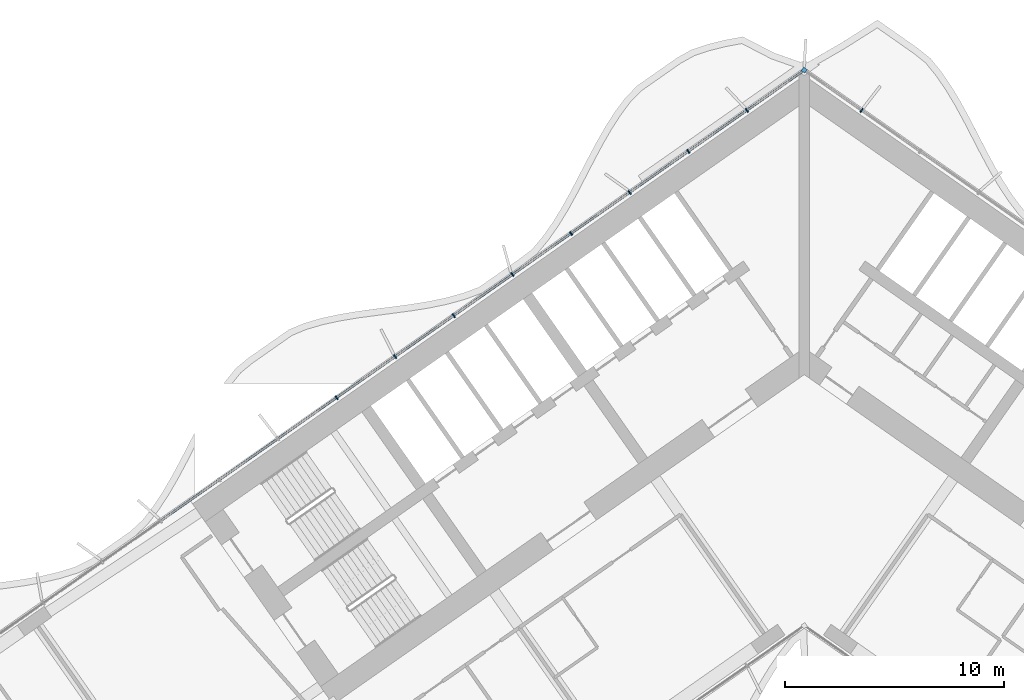
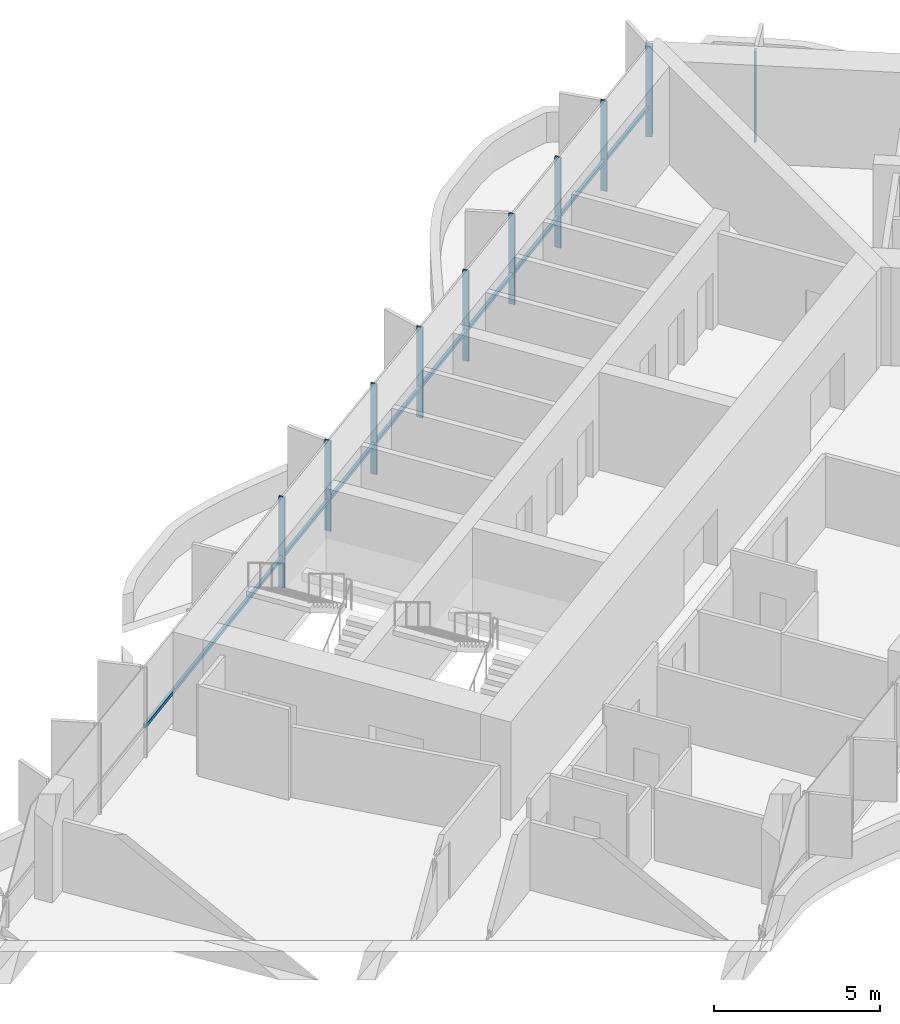
# One storey, part 7 of 24: 11 members, 1 element without a shape of its own.
"""IFC4 building model written with IfcOpenShell, lengths in metres."""

import ifcopenshell
import ifcopenshell.guid

model = None  # the IFC model being written
_history = None  # IfcOwnerHistory: only IFC2X3 demands one
_inside = {}  # id of a spatial element -> (the spatial element, [elements in it])
_under = {}  # id of a project, library or spatial element -> (it, [spatial elements below it])
_declared = {}  # id of a project -> (the project, [libraries it declares])
_typed = {}  # id of a type object -> (the type object, [elements of that type])
_made_of = {}  # id of a material, layer set ... -> (it, [elements and type objects made of it])


def new_model(schema):
    """Start an empty IFC model of exactly this schema.

    Asked for "IFC4X3", IfcOpenShell would pick the latest addendum, in which some entities
    have other attributes; the version numbers below select the first issue.
    IFC2X3 requires an IfcOwnerHistory on every rooted entity: one is made here for all.
    """
    global model, _history
    if schema == "IFC4X3":
        model = ifcopenshell.file(schema_version=(4, 3, 0, 0))
    else:
        model = ifcopenshell.file(schema=schema)
    _inside.clear()
    _under.clear()
    _declared.clear()
    _typed.clear()
    _made_of.clear()
    _history = None
    if model.schema == "IFC2X3":
        org = make("IfcOrganization", Name="unknown")
        user = make(
            "IfcPersonAndOrganization",
            ThePerson=make("IfcPerson", FamilyName="unknown"),
            TheOrganization=org,
        )
        app = make(
            "IfcApplication",
            ApplicationDeveloper=org,
            Version="unknown",
            ApplicationFullName="unknown",
            ApplicationIdentifier="unknown",
        )
        _history = make(
            "IfcOwnerHistory",
            OwningUser=user,
            OwningApplication=app,
            ChangeAction="ADDED",
            CreationDate=0,
        )
    return model


def make(cls, **values):
    """One entity of the class cls with the attributes given. An attribute that is None is left unset."""
    return model.create_entity(
        cls, **{name: value for name, value in values.items() if value is not None}
    )


def rooted(cls, **values):
    """An entity with a GlobalId (a new one), such as an element, a storey or a relation."""
    return make(cls, GlobalId=ifcopenshell.guid.new(), OwnerHistory=_history, **values)


def si_unit(unit_type, name, prefix=None):
    """IfcSIUnit, for example si_unit("LENGTHUNIT", "METRE", prefix="MILLI")."""
    return make("IfcSIUnit", UnitType=unit_type, Prefix=prefix, Name=name)


def assignment(units):
    """IfcUnitAssignment: the units of a project."""
    return None if units is None else make("IfcUnitAssignment", Units=units)


def point(xyz):
    """IfcCartesianPoint."""
    return None if xyz is None else make("IfcCartesianPoint", Coordinates=xyz)


def direction(xyz):
    """IfcDirection."""
    return None if xyz is None else make("IfcDirection", DirectionRatios=xyz)


def frame(location, z_axis=None, x_axis=None):
    """IfcAxis2Placement3D, a coordinate frame: its origin and axes. An axis left out is left unset."""
    return make(
        "IfcAxis2Placement3D",
        Location=point(location),
        Axis=direction(z_axis),
        RefDirection=direction(x_axis),
    )


def frame_2d(location, x_axis=None):
    """IfcAxis2Placement2D, a coordinate frame in the plane: its origin and x axis."""
    return make(
        "IfcAxis2Placement2D", Location=point(location), RefDirection=direction(x_axis)
    )


def origin():
    """The frame at (0, 0, 0) with its axes left unset."""
    return frame((0.0, 0.0, 0.0))


def origin_2d():
    """The frame at (0, 0) in the plane with its x axis left unset."""
    return frame_2d((0.0, 0.0))


def place(relative_to, where):
    """IfcLocalPlacement: puts the frame where relative to a parent placement (None: the world)."""
    return make(
        "IfcLocalPlacement", PlacementRelTo=relative_to, RelativePlacement=where
    )


def context(
    kind, dimensions, precision=None, world=None, true_north=None, identifier=None
):
    """IfcGeometricRepresentationContext, for example the 3D "Model" context."""
    return make(
        "IfcGeometricRepresentationContext",
        ContextIdentifier=identifier,
        ContextType=kind,
        CoordinateSpaceDimension=dimensions,
        Precision=precision,
        WorldCoordinateSystem=world,
        TrueNorth=true_north,
    )


def subcontext(parent, identifier, kind, view, scale=None):
    """IfcGeometricRepresentationSubContext, for example "Body" below "Model"."""
    return make(
        "IfcGeometricRepresentationSubContext",
        ContextIdentifier=identifier,
        ContextType=kind,
        ParentContext=parent,
        TargetScale=scale,
        TargetView=view,
    )


def project(units=None, contexts=None):
    """IfcProject with its units and contexts."""
    return rooted(
        "IfcProject",
        Name="project",
        RepresentationContexts=contexts,
        UnitsInContext=assignment(units),
    )


def spatial(cls, under=None, at=None, **own):
    """A site, building, storey or space (cls), placed at a placement, below another one or the project."""
    s = rooted(cls, ObjectPlacement=at, **own)
    if under is not None:
        _under.setdefault(under.id(), (under, []))[1].append(s)
    return s


def profile(cls, at=None, kind="AREA", **sizes):
    """A parametric profile (cls). Its sizes go by their IFC names, for example OverallWidth=200.0."""
    return make(cls, ProfileType=kind, Position=at, **sizes)


def rectangle(**sizes):
    """IfcRectangleProfileDef."""
    return profile("IfcRectangleProfileDef", **sizes)


def extrude(swept, where, along, depth):
    """IfcExtrudedAreaSolid: the profile swept, set in the frame where, extruded along a direction by depth."""
    return make(
        "IfcExtrudedAreaSolid",
        SweptArea=swept,
        Position=where,
        ExtrudedDirection=direction(along),
        Depth=depth,
    )


def shape(context_of_items, identifier, shape_type, items):
    """IfcShapeRepresentation: the items that make up one representation, for example the "Body"."""
    return make(
        "IfcShapeRepresentation",
        ContextOfItems=context_of_items,
        RepresentationIdentifier=identifier,
        RepresentationType=shape_type,
        Items=items,
    )


def material(Name=None, Category=None):
    """IfcMaterial."""
    return make("IfcMaterial", Name=Name, Category=Category)


def material_profile(
    of_material, cross_section, Name=None, Category=None, Priority=None
):
    """IfcMaterialProfile: a cross section and its material."""
    return make(
        "IfcMaterialProfile",
        Name=Name,
        Material=of_material,
        Profile=cross_section,
        Priority=Priority,
        Category=Category,
    )


def profile_set(profiles, Name=None, composite=None):
    """IfcMaterialProfileSet."""
    return make(
        "IfcMaterialProfileSet",
        Name=Name,
        MaterialProfiles=profiles,
        CompositeProfile=composite,
    )


def made_of(thing, what):
    """Note that an element or type object is made of a material, layer set ...; save() writes the relation."""
    if what is not None:
        _made_of.setdefault(what.id(), (what, []))[1].append(thing)
    return thing


def type_object(cls, material=None, **own):
    """A type object (cls), such as IfcWallType, which elements share."""
    return made_of(rooted(cls, **own), material)


def element(
    cls,
    number,
    at=None,
    inside=None,
    cuts=None,
    type_object=None,
    material=None,
    context=None,
    identifier="Body",
    shape_type=None,
    held_by="IfcProductDefinitionShape",
    body=None,
    shapes=None,
    **own,
):
    """One element of the class cls, such as IfcWall. Its Tag is "e" and its number.

    at: its placement. inside: the storey or other place that contains it. cuts: it is an
    opening in that element (IfcRelVoidsElement). A single representation is given by context,
    identifier, shape_type and body (its items); several are given by shapes. held_by: the class
    of the entity that holds the representations. save() writes the other relations.
    """
    e = rooted(cls, Tag="e%d" % number, ObjectPlacement=at, **own)
    if body is not None:
        shapes = [shape(context, identifier, shape_type, body)]
    if shapes is not None:
        e.Representation = make(held_by, Representations=shapes)
    if inside is not None:
        _inside.setdefault(inside.id(), (inside, []))[1].append(e)
    if cuts is not None:
        rooted(
            "IfcRelVoidsElement", RelatingBuildingElement=cuts, RelatedOpeningElement=e
        )
    if type_object is not None:
        _typed.setdefault(type_object.id(), (type_object, []))[1].append(e)
    return made_of(e, material)


def aggregate(whole, parts):
    """IfcRelAggregates: a whole, such as a stair, and the parts it consists of."""
    return rooted("IfcRelAggregates", RelatingObject=whole, RelatedObjects=parts)


def save(model, path):
    """Write the relations noted so far, then the file.

    IfcRelAggregates (storeys below a building ...), IfcRelContainedInSpatialStructure (elements
    in a storey), IfcRelDefinesByType, IfcRelAssociatesMaterial and IfcRelDeclares: one each for
    every whole, place, type object, material and project.
    """
    for whole, parts in _under.values():
        aggregate(whole, parts)
    for where, things in _inside.values():
        rooted(
            "IfcRelContainedInSpatialStructure",
            RelatedElements=things,
            RelatingStructure=where,
        )
    for kind, things in _typed.values():
        rooted("IfcRelDefinesByType", RelatedObjects=things, RelatingType=kind)
    for what, things in _made_of.values():
        rooted("IfcRelAssociatesMaterial", RelatedObjects=things, RelatingMaterial=what)
    for by, libraries in _declared.values():
        rooted("IfcRelDeclares", RelatingContext=by, RelatedDefinitions=libraries)
    model.write(path)


model = new_model("IFC4")

# Units and contexts
model_context = context("Model", 3, precision=1e-05, world=origin(), true_north=direction((0.0, 1.0)))
body_context = subcontext(model_context, "Body", "Model", "MODEL_VIEW")
ifc_project = project(units=[si_unit("LENGTHUNIT", "METRE"), si_unit("AREAUNIT", "SQUARE_METRE"), si_unit("VOLUMEUNIT", "CUBIC_METRE"), si_unit("PLANEANGLEUNIT", "RADIAN"), si_unit("MASSUNIT", "GRAM", prefix="KILO")], contexts=[model_context])

# Site, building, storey
site_placement = place(None, origin())
site = spatial("IfcSite", under=ifc_project, at=site_placement, CompositionType="ELEMENT")
building_placement = place(site_placement, origin())
building = spatial("IfcBuilding", under=site, at=building_placement, Name="Tel Ilan Convention Tower", CompositionType="ELEMENT")
storey_placement = place(building_placement, frame((0.0, 0.0, 68.89990234375)))
storey = spatial("IfcBuildingStorey", under=building, at=storey_placement, Name="L12", CompositionType="ELEMENT", Elevation=68.89990234375)

# Curtain wall, members
ifc_material_1 = material(Name="Aluminium, bronze anodised", Category="aluminium")
curtain_wall_type = type_object("IfcCurtainWallType", Name="CW2 STICK CURTAIN WALL, SPANDREL PANELS", PredefinedType="NOTDEFINED", material=ifc_material_1)
curtain_wall_placement = place(storey_placement, origin())
curtain_wall = element("IfcCurtainWall", 1, at=curtain_wall_placement, inside=storey, type_object=curtain_wall_type, Name="Curtain wall CW2-12.01", PredefinedType="NOTDEFINED")
ifc_material_2 = material(Name="Aluminium, bronze anodised", Category="aluminium")
ifc_material_profile_1 = material_profile(ifc_material_2, rectangle(XDim=0.199951171875, YDim=0.199951171875, at=origin_2d()), Name="CW CORNER MULLION 200x200")
ifc_profile_set_1 = profile_set([ifc_material_profile_1], Name="Aluminium, bronze anodised")
member_type_1 = type_object("IfcMemberType", Name="CW CORNER MULLION 200x200", PredefinedType="MULLION", material=ifc_profile_set_1)
member_1_placement = place(storey_placement, frame((0.0, 12.696044921875, 0.0), z_axis=(0.0, 0.0, 1.0), x_axis=(-0.819152044289, 0.573576436351, 0.0)))
member_1 = element("IfcMember", 2, at=member_1_placement, type_object=member_type_1, Name="Corner mullion", PredefinedType="MULLION", context=body_context, shape_type="SweptSolid", body=[
    extrude(rectangle(XDim=0.199951171875, YDim=0.199951171875, at=origin_2d()), origin(), (0.0, 0.0, 1.0), 3.320068359375),
])
ifc_material_3 = material(Name="Aluminium, bronze anodised", Category="aluminium")
ifc_material_profile_2 = material_profile(ifc_material_3, rectangle(XDim=0.06005859375, YDim=0.199951171875, at=origin_2d()), Name="CW MULLION 60x200")
ifc_profile_set_2 = profile_set([ifc_material_profile_2], Name="Aluminium, bronze anodised")
member_type_2 = type_object("IfcMemberType", Name="CW MULLION 60x200", PredefinedType="MULLION", material=ifc_profile_set_2)
member_2_placement = place(storey_placement, frame((2.622802734375, 10.859375, 0.0), z_axis=(0.0, 0.0, 1.0), x_axis=(-0.819152044289, 0.573576436351, 0.0)))
member_2 = element("IfcMember", 3, at=member_2_placement, type_object=member_type_2, Name="Mullion", PredefinedType="MULLION", context=body_context, shape_type="SweptSolid", body=[
    extrude(rectangle(XDim=0.06005859375, YDim=0.199951171875, at=origin_2d()), origin(), (0.0, 0.0, 1.0), 3.320068359375),
])
member_3_placement = place(storey_placement, frame((-2.622802734375, 10.859375, 0.0), z_axis=(0.0, 0.0, 1.0), x_axis=(-0.819152044289, -0.573576436351, 0.0)))
member_3 = element("IfcMember", 4, at=member_3_placement, type_object=member_type_2, Name="Mullion", PredefinedType="MULLION", context=body_context, shape_type="SweptSolid", body=[
    extrude(rectangle(XDim=0.06005859375, YDim=0.199951171875, at=origin_2d()), origin(), (0.0, 0.0, 1.0), 3.320068359375),
])
member_4_placement = place(storey_placement, frame((-5.30322265625, 8.982666015625, 0.0), z_axis=(0.0, 0.0, 1.0), x_axis=(-0.819152044289, -0.573576436351, 0.0)))
member_4 = element("IfcMember", 5, at=member_4_placement, type_object=member_type_2, Name="Mullion", PredefinedType="MULLION", context=body_context, shape_type="SweptSolid", body=[
    extrude(rectangle(XDim=0.06005859375, YDim=0.199951171875, at=origin_2d()), origin(), (0.0, 0.0, 1.0), 3.320068359375),
])
member_5_placement = place(storey_placement, frame((-7.9833984375, 7.10595703125, 0.0), z_axis=(0.0, 0.0, 1.0), x_axis=(-0.819152044289, -0.573576436351, 0.0)))
member_5 = element("IfcMember", 6, at=member_5_placement, type_object=member_type_2, Name="Mullion", PredefinedType="MULLION", context=body_context, shape_type="SweptSolid", body=[
    extrude(rectangle(XDim=0.06005859375, YDim=0.199951171875, at=origin_2d()), origin(), (0.0, 0.0, 1.0), 3.320068359375),
])
member_6_placement = place(storey_placement, frame((-10.663818359375, 5.229248046875, 0.0), z_axis=(0.0, 0.0, 1.0), x_axis=(-0.819152044289, -0.573576436351, 0.0)))
member_6 = element("IfcMember", 7, at=member_6_placement, type_object=member_type_2, Name="Mullion", PredefinedType="MULLION", context=body_context, shape_type="SweptSolid", body=[
    extrude(rectangle(XDim=0.06005859375, YDim=0.199951171875, at=origin_2d()), origin(), (0.0, 0.0, 1.0), 3.320068359375),
])
member_7_placement = place(storey_placement, frame((-13.343994140625, 3.3525390625, 0.0), z_axis=(0.0, 0.0, 1.0), x_axis=(-0.819152044289, -0.573576436351, 0.0)))
member_7 = element("IfcMember", 8, at=member_7_placement, type_object=member_type_2, Name="Mullion", PredefinedType="MULLION", context=body_context, shape_type="SweptSolid", body=[
    extrude(rectangle(XDim=0.06005859375, YDim=0.199951171875, at=origin_2d()), origin(), (0.0, 0.0, 1.0), 3.320068359375),
])
member_8_placement = place(storey_placement, frame((-16.024169921875, 1.475830078125, 0.0), z_axis=(0.0, 0.0, 1.0), x_axis=(-0.819152044289, -0.573576436351, 0.0)))
member_8 = element("IfcMember", 9, at=member_8_placement, type_object=member_type_2, Name="Mullion", PredefinedType="MULLION", context=body_context, shape_type="SweptSolid", body=[
    extrude(rectangle(XDim=0.06005859375, YDim=0.199951171875, at=origin_2d()), origin(), (0.0, 0.0, 1.0), 3.320068359375),
])
member_9_placement = place(storey_placement, frame((-18.70458984375, -0.401123046875, 0.0), z_axis=(0.0, 0.0, 1.0), x_axis=(-0.819152044289, -0.573576436351, 0.0)))
member_9 = element("IfcMember", 10, at=member_9_placement, type_object=member_type_2, Name="Mullion", PredefinedType="MULLION", context=body_context, shape_type="SweptSolid", body=[
    extrude(rectangle(XDim=0.06005859375, YDim=0.199951171875, at=origin_2d()), origin(), (0.0, 0.0, 1.0), 3.320068359375),
])
member_10_placement = place(storey_placement, frame((-21.384765625, -2.27783203125, 0.0), z_axis=(0.0, 0.0, 1.0), x_axis=(-0.819152044289, -0.573576436351, 0.0)))
member_10 = element("IfcMember", 11, at=member_10_placement, type_object=member_type_2, Name="Mullion", PredefinedType="MULLION", context=body_context, shape_type="SweptSolid", body=[
    extrude(rectangle(XDim=0.06005859375, YDim=0.199951171875, at=origin_2d()), origin(), (0.0, 0.0, 1.0), 3.320068359375),
])
ifc_material_4 = material(Name="Aluminium, bronze anodised", Category="aluminium")
ifc_material_profile_3 = material_profile(ifc_material_4, rectangle(XDim=0.10009765625, YDim=0.1201171875, at=origin_2d()), Name="CW TRANSOM 100x120")
ifc_profile_set_3 = profile_set([ifc_material_profile_3], Name="Aluminium, bronze anodised")
member_type_3 = type_object("IfcMemberType", Name="CW TRANSOM 100x120", PredefinedType="USERDEFINED", material=ifc_profile_set_3)
member_11_placement = place(storey_placement, frame((-0.1064453125, 12.62158203125, 1.10009765625), z_axis=(-0.81915076999, -0.573578256234, 0.0), x_axis=(0.573578256234, -0.81915076999, 0.0)))
member_11 = element("IfcMember", 12, at=member_11_placement, type_object=member_type_3, Name="Transom", ObjectType="TRANSOM", PredefinedType="USERDEFINED", context=body_context, shape_type="SweptSolid", body=[
    extrude(rectangle(XDim=0.10009765625, YDim=0.1201171875, at=origin_2d()), origin(), (0.0, 0.0, 1.0), 35.76220703125),
])
aggregate(curtain_wall, [member_2, member_1, member_3, member_4, member_5, member_6, member_7, member_8, member_9, member_10, member_11])

save(model, "model.ifc")
